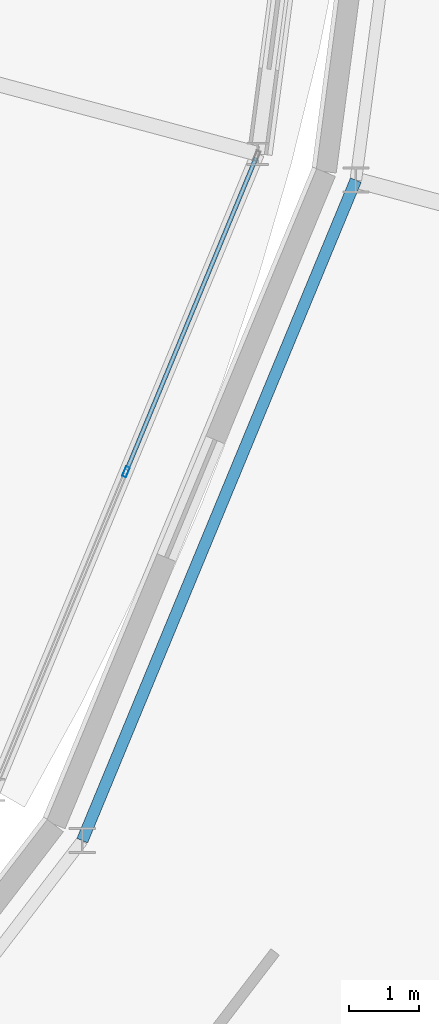
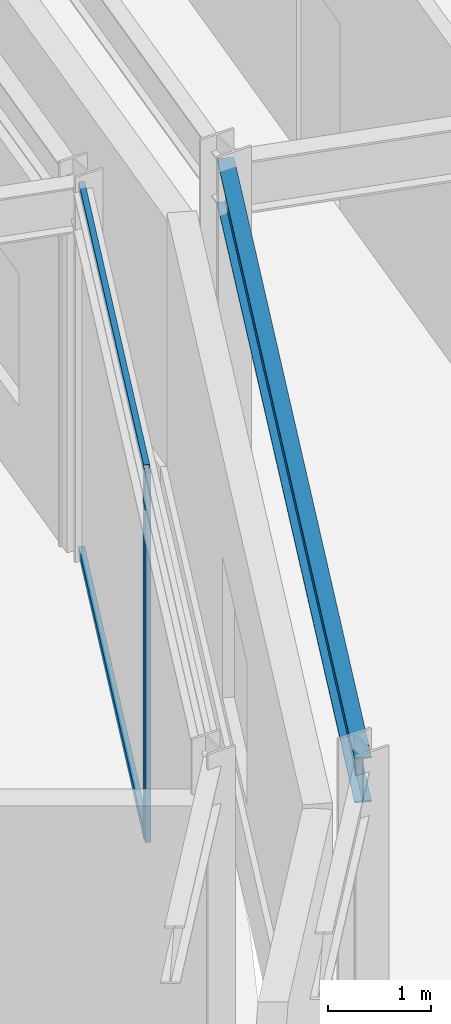
# One storey, part 46 of 157: 3 members, 1 beam, 1 element without a shape of its own.
"""IFC4 building model written with IfcOpenShell, lengths in metres."""

from ifc_helpers import new_model, si_unit, direction, frame, origin, origin_2d, place, context, subcontext, project, spatial, hollow_rectangle, i_section, extrude, material, material_profile, profile_set, type_object, element, aggregate, save


model = new_model("IFC4")

# Units and contexts
model_context = context("Model", 3, precision=1e-05, world=origin(), true_north=direction((0.0, 1.0)))
body_context = subcontext(model_context, "Body", "Model", "MODEL_VIEW")
ifc_project = project(units=[si_unit("LENGTHUNIT", "METRE"), si_unit("AREAUNIT", "SQUARE_METRE"), si_unit("VOLUMEUNIT", "CUBIC_METRE"), si_unit("PLANEANGLEUNIT", "RADIAN"), si_unit("MASSUNIT", "GRAM", prefix="KILO")], contexts=[model_context])

# Site, building, storey
site_placement = place(None, origin())
site = spatial("IfcSite", under=ifc_project, at=site_placement, CompositionType="ELEMENT")
building_placement = place(site_placement, origin())
building = spatial("IfcBuilding", under=site, at=building_placement, Name="Almandine Court Research Institute", CompositionType="ELEMENT")
storey_placement = place(building_placement, frame((0.0, 0.0, 5.25)))
storey = spatial("IfcBuildingStorey", under=building, at=storey_placement, Name="L01", CompositionType="ELEMENT", Elevation=5.25)

# Beam
ifc_material_1 = material(Name="Steel ASTM A992 Grade 50", Category="steel")
ifc_material_profile_1 = material_profile(ifc_material_1, i_section(OverallWidth=0.166015625, OverallDepth=0.534912109375, WebThickness=0.010009765625, FlangeThickness=0.01708984375, at=origin_2d()), Name="W530x85")
ifc_profile_set_1 = profile_set([ifc_material_profile_1], Name="Steel ASTM A992 Grade 50")
beam_type = type_object("IfcBeamType", Name="Beam-G-05-E", PredefinedType="SPANDREL", material=ifc_profile_set_1)
beam_placement = place(storey_placement, frame((120.862060546875, 36.449951171875, 4.10205078125), z_axis=(0.382683455912, 0.923879522758, 0.0), x_axis=(-0.923879522758, 0.382683455912, 0.0)))
element("IfcBeam", 1, at=beam_placement, inside=storey, type_object=beam_type, Name="L01 Drum IN Ring Beam 22", PredefinedType="SPANDREL", context=body_context, shape_type="SweptSolid", body=[
    extrude(i_section(OverallWidth=0.166015625, OverallDepth=0.534912109375, WebThickness=0.010009765625, FlangeThickness=0.01708984375, at=origin_2d()), origin(), (0.0, 0.0, 1.0), 10.206787109375),
])

# Curtain wall, members
ifc_material_2 = material(Name="Unitised Curtain Wall Framing and Solar Glazing", Category="glass")
curtain_wall_type = type_object("IfcCurtainWallType", Name="CW-CWG-24", PredefinedType="USERDEFINED", material=ifc_material_2)
curtain_wall_placement = place(storey_placement, origin())
curtain_wall = element("IfcCurtainWall", 2, at=curtain_wall_placement, inside=storey, type_object=curtain_wall_type, Name="L01 Interaction Atrium Perimeter Curtain Wall 22", ObjectType="UNITISED GLAZING", PredefinedType="USERDEFINED")
ifc_material_3 = material(Name="Anodised Aluminium AW-6063-T6", Category="aluminium")
ifc_material_profile_2 = material_profile(ifc_material_3, hollow_rectangle(XDim=0.06005859375, YDim=0.14990234375, WallThickness=0.00390625, at=origin_2d()), Name="ALU RHS 60x150x4")
ifc_profile_set_2 = profile_set([ifc_material_profile_2], Name="Anodised Aluminium AW-6063-T6")
member_type_1 = type_object("IfcMemberType", Name="CWMul-60x150", PredefinedType="MULLION", material=ifc_profile_set_2)
member_1_placement = place(storey_placement, frame((121.487060546875, 41.715087890625, 0.0), z_axis=(0.0, 0.0, 1.0), x_axis=(0.923900189297, -0.382633558665, 0.0)))
member_1 = element("IfcMember", 3, at=member_1_placement, type_object=member_type_1, Name="CWG-24 mullion 2", PredefinedType="MULLION", context=body_context, shape_type="SweptSolid", body=[
    extrude(hollow_rectangle(XDim=0.06005859375, YDim=0.14990234375, WallThickness=0.00390625, at=origin_2d()), origin(), (0.0, 0.0, 1.0), 4.3701171875),
])
ifc_material_profile_3 = material_profile(ifc_material_3, hollow_rectangle(XDim=0.06005859375, YDim=0.110107421875, WallThickness=0.00390625, at=origin_2d()), Name="ALU RHS 60x110x4")
ifc_profile_set_3 = profile_set([ifc_material_profile_3], Name="Anodised Aluminium AW-6063-T6")
member_type_2 = type_object("IfcMemberType", Name="CWTrn-60x110", PredefinedType="NOTDEFINED", material=ifc_profile_set_3)
member_2_placement = place(storey_placement, frame((123.343017578125, 46.196533203125, 0.030029296875), z_axis=(-0.382618675498, -0.923906353025, 0.0), x_axis=(0.923906353025, -0.382618675498, 0.0)))
member_2 = element("IfcMember", 4, at=member_2_placement, type_object=member_type_2, Name="CWG-24 transom 1.1", ObjectType="TRANSOM", PredefinedType="USERDEFINED", context=body_context, shape_type="SweptSolid", body=[
    extrude(hollow_rectangle(XDim=0.06005859375, YDim=0.110107421875, WallThickness=0.00390625, at=origin_2d()), origin(), (0.0, 0.0, 1.0), 4.82080078125),
])
member_3_placement = place(storey_placement, frame((123.343017578125, 46.196533203125, 4.340087890625), z_axis=(-0.382618675498, -0.923906353025, 0.0), x_axis=(0.923906353025, -0.382618675498, 0.0)))
member_3 = element("IfcMember", 5, at=member_3_placement, type_object=member_type_2, Name="CWG-24 transom 1.2", ObjectType="TRANSOM", PredefinedType="USERDEFINED", context=body_context, shape_type="SweptSolid", body=[
    extrude(hollow_rectangle(XDim=0.06005859375, YDim=0.110107421875, WallThickness=0.00390625, at=origin_2d()), origin(), (0.0, 0.0, 1.0), 4.82080078125),
])
aggregate(curtain_wall, [member_1, member_2, member_3])

save(model, "model.ifc")
